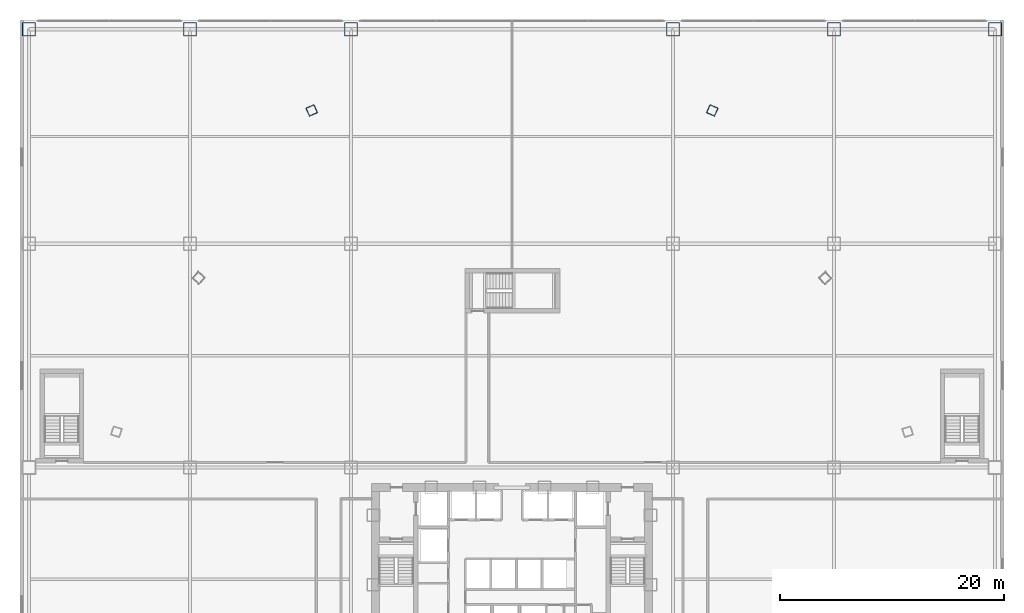
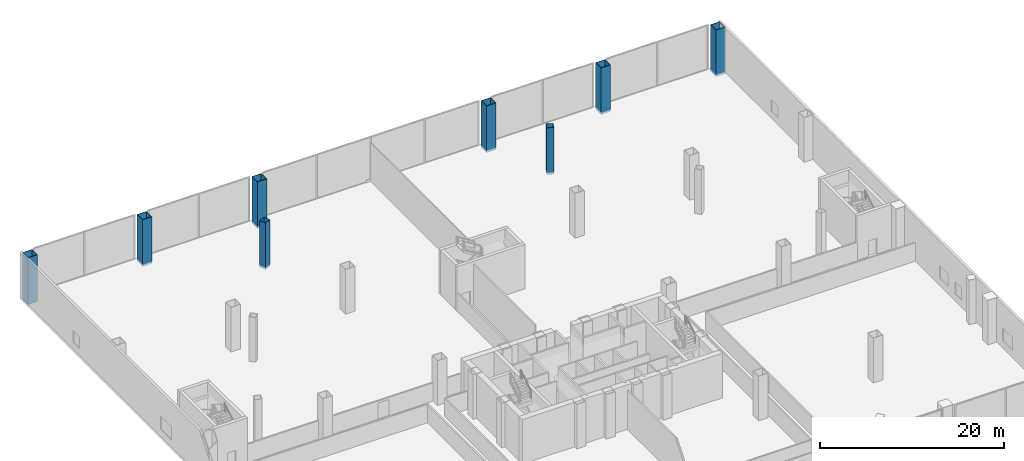
# One storey, part 2 of 41: 8 columns.
"""IFC4 building model written with IfcOpenShell, lengths in metres."""

from ifc_helpers import new_model, si_unit, direction, frame, origin, origin_2d, place, context, subcontext, project, spatial, hollow_rectangle, extrude, source, transform, mapped, material, material_profile, profile_set, type_object, element, save


model = new_model("IFC4")

# Units and contexts
model_context = context("Model", 3, precision=1e-05, world=origin(), true_north=direction((0.0, 1.0)))
body_context = subcontext(model_context, "Body", "Model", "MODEL_VIEW")
ifc_project = project(units=[si_unit("LENGTHUNIT", "METRE"), si_unit("AREAUNIT", "SQUARE_METRE"), si_unit("VOLUMEUNIT", "CUBIC_METRE"), si_unit("PLANEANGLEUNIT", "RADIAN"), si_unit("MASSUNIT", "GRAM", prefix="KILO"), si_unit("THERMODYNAMICTEMPERATUREUNIT", "KELVIN"), si_unit("POWERUNIT", "WATT")], contexts=[model_context])

# Site, building, storey
site_placement = place(None, origin())
site = spatial("IfcSite", under=ifc_project, at=site_placement, CompositionType="ELEMENT")
building_placement = place(site_placement, origin())
building = spatial("IfcBuilding", under=site, at=building_placement, Name="Yunzhuo Pagoda Commons", CompositionType="ELEMENT")
storey_placement = place(building_placement, frame((0.0, 0.0, 19.199951171875)))
storey = spatial("IfcBuildingStorey", under=building, at=storey_placement, Name="L05", CompositionType="ELEMENT", Elevation=19.199951171875)

# Columns
ifc_material = material(Name="Structural steel Q420B", Category="steel")
ifc_material_profile_1 = material_profile(ifc_material, hollow_rectangle(XDim=1.199951171875, YDim=1.199951171875, WallThickness=0.050048828125, at=origin_2d()), Name="Structural steel Q420B")
ifc_profile_set_1 = profile_set([ifc_material_profile_1], Name="Structural steel Q420B")
column_type_1 = type_object("IfcColumnType", Name="C-POD Column BOX 1200x1200x50", PredefinedType="COLUMN", material=ifc_profile_set_1)
shared_shape_1 = source(origin(), body_context, "Body", "SweptSolid", [
    extrude(hollow_rectangle(XDim=1.199951171875, YDim=1.199951171875, WallThickness=0.050048828125, at=origin_2d()), origin(), (0.0, 0.0, 1.0), 6.2001953125),
])
for number, where, z_axis, x_axis, name in (
    (1, (4.800048828125, 81.199951171875, -0.280029296875), (0.0, 0.0, 1.0), (1.0, 0.0, 0.0), "L05 podium column P1_5"),
    (2, (19.199951171875, 81.199951171875, -0.280029296875), (0.0, 0.0, 1.0), (1.0, 0.0, 0.0), "L05 podium column P2_5"),
    (3, (33.60009765625, 81.199951171875, -0.280029296875), (0.0, 0.0, 1.0), (1.0, 0.0, 0.0), "L05 podium column P3_5"),
    (4, (62.39990234375, 81.199951171875, -0.280029296875), (0.0, 0.0, 1.0), (1.0, 0.0, 0.0), "L05 podium column P4_5"),
    (5, (76.800048828125, 81.199951171875, -0.280029296875), (0.0, 0.0, 1.0), (1.0, 0.0, 0.0), "L05 podium column P5_5"),
    (6, (91.199951171875, 81.199951171875, -0.280029296875), (0.0, 0.0, 1.0), (1.0, 0.0, 0.0), "L05 podium column P6_5"),
):
    element("IfcColumn", number, at=place(storey_placement, frame(where, z_axis=z_axis, x_axis=x_axis)), inside=storey, type_object=column_type_1, Name=name, PredefinedType="COLUMN", context=body_context, shape_type="MappedRepresentation", body=[
        mapped(shared_shape_1, transform((0.0, 0.0, 0.0), scale=1.0)),
    ])
ifc_material_profile_2 = material_profile(ifc_material, hollow_rectangle(XDim=0.800048828125, YDim=0.800048828125, WallThickness=0.031982421875, at=origin_2d()), Name="Structural steel Q420B")
ifc_profile_set_2 = profile_set([ifc_material_profile_2], Name="Structural steel Q420B")
column_type_2 = type_object("IfcColumnType", Name="C-BUT Column BOX 800x800x32", PredefinedType="COLUMN", material=ifc_profile_set_2)
shared_shape_2 = source(origin(), body_context, "Body", "SweptSolid", [
    extrude(hollow_rectangle(XDim=0.800048828125, YDim=0.800048828125, WallThickness=0.031982421875, at=origin_2d()), origin(), (0.0, 0.0, 1.0), 6.2001953125),
])
for number, where, z_axis, x_axis, name in (
    (7, (65.91259765625, 73.931884765625, -0.280029296875), (0.0, 0.0, 1.0), (-0.913545457643, 0.406736643076, 0.0), "L05 podium transfer support column PR_F2C4"),
    (8, (30.087890625, 73.931884765625, -0.280029296875), (0.0, 0.0, 1.0), (-0.913545457643, -0.406736643076, 0.0), "L05 podium transfer support column PR_F3C1"),
):
    element("IfcColumn", number, at=place(storey_placement, frame(where, z_axis=z_axis, x_axis=x_axis)), inside=storey, type_object=column_type_2, Name=name, PredefinedType="COLUMN", context=body_context, shape_type="MappedRepresentation", body=[
        mapped(shared_shape_2, transform((0.0, 0.0, 0.0), scale=1.0)),
    ])

save(model, "model.ifc")
